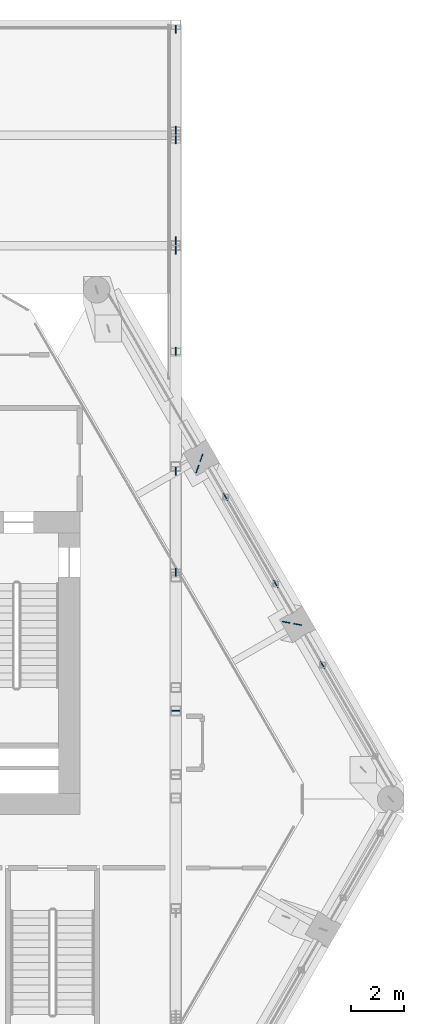
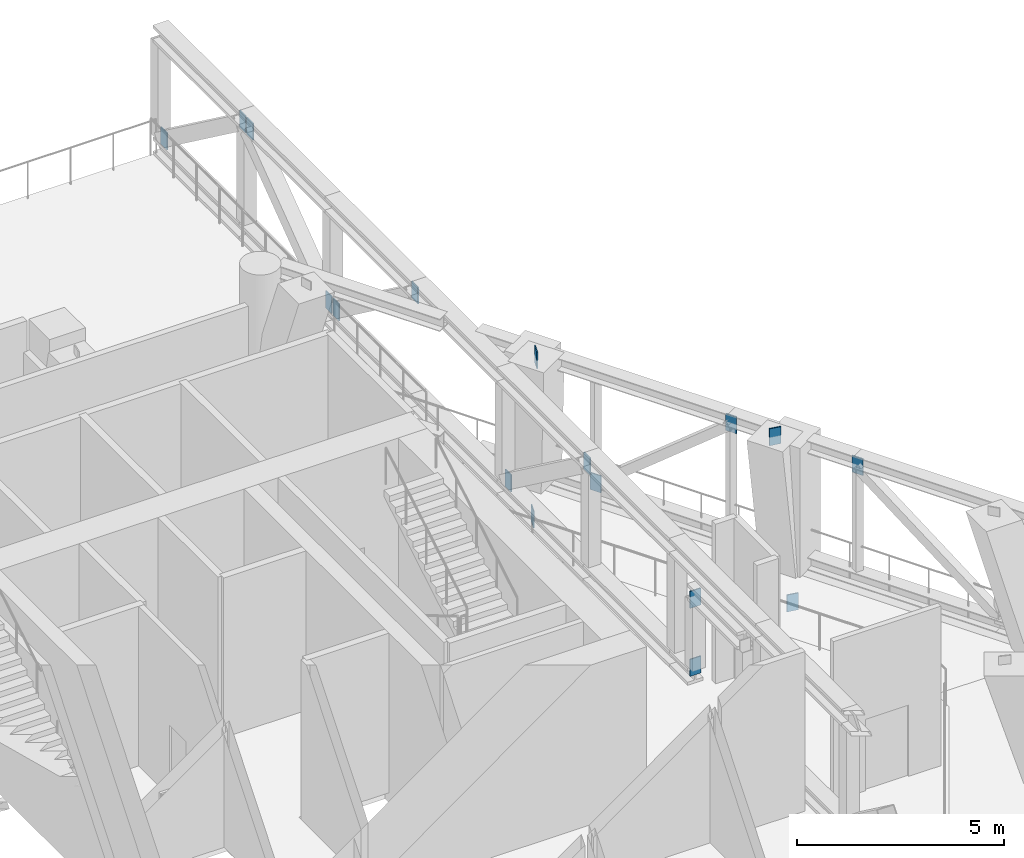
# One storey, part 17 of 22: 17 discrete accessories.
"""IFC4 building model written with IfcOpenShell, lengths in metres."""

from ifc_helpers import new_model, si_unit, direction, frame, origin, origin_2d, place, context, subcontext, project, spatial, rectangle, extrude, material, layer, layer_set, type_object, element, save


model = new_model("IFC4")

# Units and contexts
model_context = context("Model", 3, precision=1e-05, world=origin(), true_north=direction((0.0, 1.0)))
body_context = subcontext(model_context, "Body", "Model", "MODEL_VIEW")
ifc_project = project(units=[si_unit("LENGTHUNIT", "METRE"), si_unit("AREAUNIT", "SQUARE_METRE"), si_unit("VOLUMEUNIT", "CUBIC_METRE"), si_unit("PLANEANGLEUNIT", "RADIAN"), si_unit("MASSUNIT", "GRAM", prefix="KILO")], contexts=[model_context])

# Site, building, storey
site_placement = place(None, origin())
site = spatial("IfcSite", under=ifc_project, at=site_placement, CompositionType="ELEMENT")
building_placement = place(site_placement, origin())
building = spatial("IfcBuilding", under=site, at=building_placement, Name="Ostrander Bayou Hotel Tower", CompositionType="ELEMENT")
storey_placement = place(building_placement, frame((0.0, 0.0, 209.5)))
storey = spatial("IfcBuildingStorey", under=building, at=storey_placement, Name="L52", CompositionType="ELEMENT", Elevation=209.5)

# Discrete accessories
ifc_material = material(Name="Steel ASTM A572 Gr 50", Category="steel")
ifc_layer = layer(ifc_material, 0.030029296875)
ifc_layer_set = layer_set([ifc_layer], Name="GP1 gusset plate 30 mm")
discrete_accessory_type = type_object("IfcDiscreteAccessoryType", Name="GP1 gusset plate 30 mm", PredefinedType="BRACKET", material=ifc_layer_set)
for number, where, z_axis, x_axis, name in (
    (1, (17.632568359375, 3.93408203125, 3.18212890625), (0.0, 0.0, 1.0), (-0.5, 0.866025403784, 0.0), "GP1 gusset plate belt 46"),
    (2, (13.9833984375, 10.25439453125, 0.117919921875), (0.0, 0.0, 1.0), (0.500015114919, -0.866016677006, 0.0), "GP1 gusset plate belt 47"),
    (3, (15.872314453125, 6.98291015625, 3.18212890625), (0.0, 0.0, 1.0), (0.500015114919, -0.866016677006, 0.0), "GP1 gusset plate belt 48"),
    (4, (12.110107421875, 27.83837890625, 0.247802734375), (0.0, 0.0, 1.0), (0.0, -1.0, 0.0), "GP1 gusset plate bar 187"),
    (5, (12.110107421875, 24.039306640625, 3.05224609375), (0.0, 0.0, 1.0), (0.0, -1.0, 0.0), "GP1 gusset plate bar 188"),
    (6, (12.110107421875, 19.884521484375, 0.247802734375), (0.0, 0.0, 1.0), (0.0, 1.0, 0.0), "GP1 gusset plate bar 189"),
    (7, (12.110107421875, 23.68359375, 3.05224609375), (0.0, 0.0, 1.0), (0.0, 1.0, 0.0), "GP1 gusset plate bar 190"),
    (8, (12.110107421875, 19.52880859375, 0.247802734375), (0.0, 0.0, 1.0), (0.0, -1.0, 0.0), "GP1 gusset plate bar 191"),
    (9, (12.110107421875, 15.729736328125, 3.05224609375), (0.0, 0.0, 1.0), (0.0, -1.0, 0.0), "GP1 gusset plate bar 192"),
    (10, (12.110107421875, 11.219482421875, 0.247802734375), (0.0, 0.0, 1.0), (0.0, -1.0, 0.0), "GP1 gusset plate bar 193"),
    (11, (12.110107421875, 7.42041015625, 3.05224609375), (0.0, 0.0, 1.0), (0.0, -1.0, 0.0), "GP1 gusset plate bar 194"),
    (12, (12.110107421875, 2.21044921875, 0.247802734375), (0.0, 0.0, 1.0), (1.0, 0.0, 0.0), "GP1 gusset plate bar 195"),
    (13, (12.110107421875, 2.21044921875, 2.25), (0.0, 0.0, 1.0), (1.0, 0.0, 0.0), "GP1 gusset plate bar 196"),
    (14, (16.693603515625, 5.460205078125, -1.449951171875), (0.0, 0.0, 1.0), (-0.983044335008, 0.183368032681, 0.0), "GP1 gusset plate belt 153"),
    (15, (16.257080078125, 5.541748046875, 3.550048828125), (0.0, 0.0, 1.0), (-0.983044335008, 0.183368032681, 0.0), "GP1 gusset plate belt 154"),
    (16, (13.075439453125, 11.726806640625, -1.449951171875), (0.0, 0.0, 1.0), (-0.332737251807, -0.943019576287, 0.0), "GP1 gusset plate belt 155"),
    (17, (12.927734375, 11.308349609375, 3.550048828125), (0.0, 0.0, 1.0), (-0.332737251807, -0.943019576287, 0.0), "GP1 gusset plate belt 156"),
):
    element("IfcDiscreteAccessory", number, at=place(storey_placement, frame(where, z_axis=z_axis, x_axis=x_axis)), inside=storey, type_object=discrete_accessory_type, Name=name, PredefinedType="BRACKET", context=body_context, shape_type="SweptSolid", body=[
        extrude(rectangle(XDim=0.300048828125, YDim=0.030029296875, at=origin_2d()), origin(), (0.0, 0.0, 1.0), 0.5),
    ])

save(model, "model.ifc")
